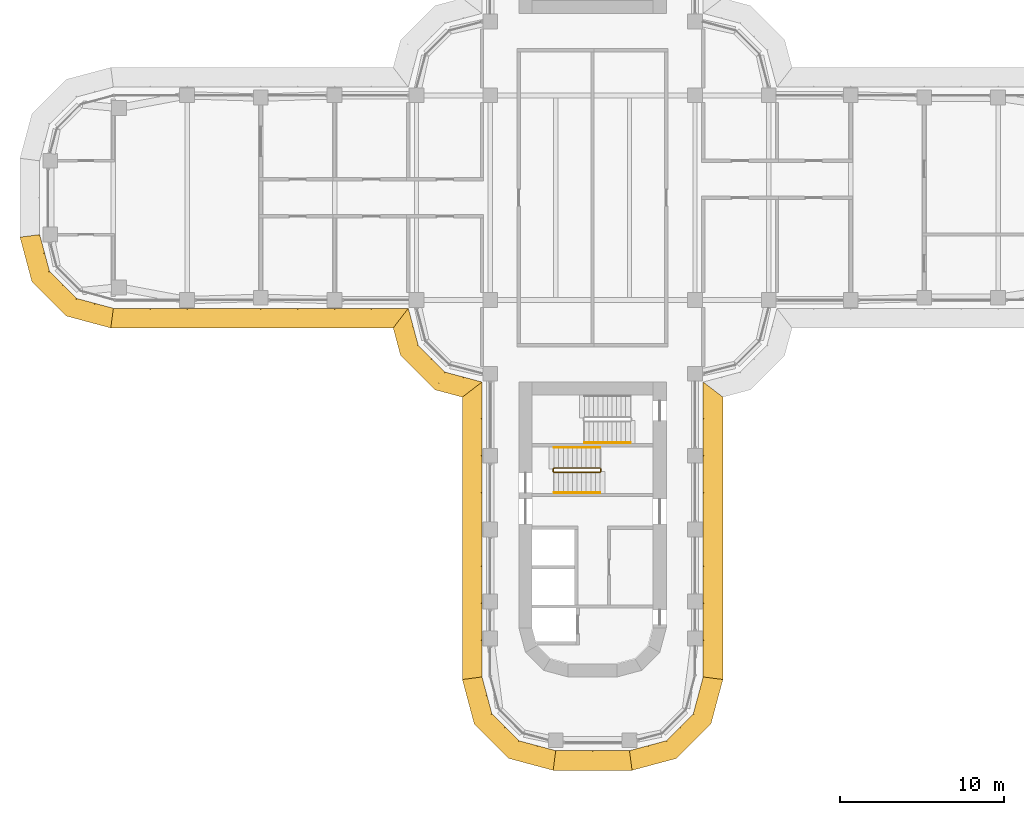
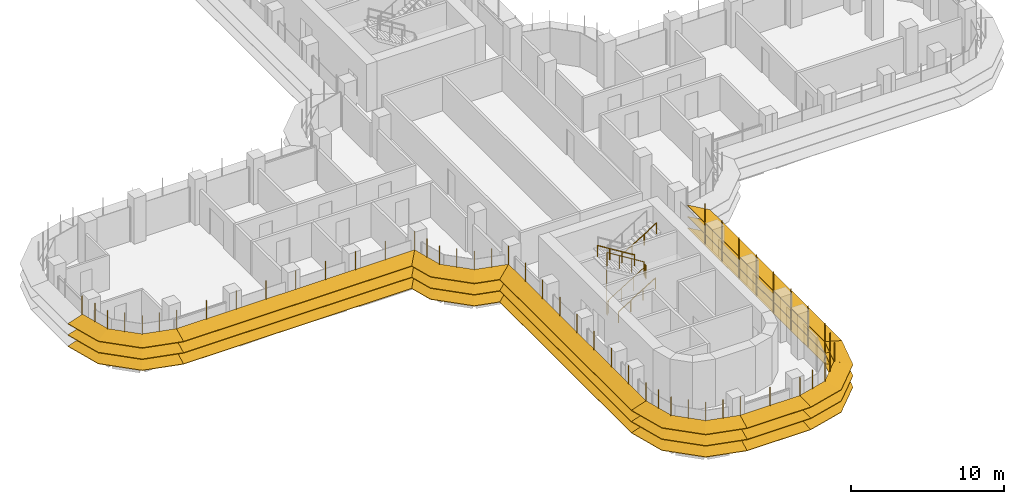
# One storey, part 20 of 23: 8 shading devices, 4 railings.
"""IFC4 building model written with IfcOpenShell, lengths in metres."""

from ifc_helpers import new_model, si_unit, direction, frame, origin, origin_2d, place, context, subcontext, project, spatial, polyline, circle, outline, extrude, faceted_brep, source, transform, mapped, material, type_object, element, save


model = new_model("IFC4")

# Units and contexts
model_context = context("Model", 3, precision=1e-05, world=origin(), true_north=direction((0.0, 1.0)))
body_context = subcontext(model_context, "Body", "Model", "MODEL_VIEW")
ifc_project = project(units=[si_unit("LENGTHUNIT", "METRE"), si_unit("AREAUNIT", "SQUARE_METRE"), si_unit("VOLUMEUNIT", "CUBIC_METRE"), si_unit("PLANEANGLEUNIT", "RADIAN"), si_unit("MASSUNIT", "GRAM", prefix="KILO")], contexts=[model_context])

# Site, building, storey
site_placement = place(None, origin())
site = spatial("IfcSite", under=ifc_project, at=site_placement, CompositionType="ELEMENT")
building_placement = place(site_placement, origin())
building = spatial("IfcBuilding", under=site, at=building_placement, Name="Zarbagh Exchange Tower", CompositionType="ELEMENT")
storey_placement = place(building_placement, frame((0.0, 0.0, 86.60009765625)))
storey = spatial("IfcBuildingStorey", under=building, at=storey_placement, Name="L19", CompositionType="ELEMENT", Elevation=86.60009765625)

# Railings
ifc_material_1 = material(Name="Stainless steel", Category="steel")
railing_type_1 = type_object("IfcRailingType", Name="Stair guard 1100 mm", PredefinedType="GUARDRAIL", material=ifc_material_1)
railing_1_placement = place(storey_placement, frame((0.449951171875, -16.5, 2.072509765625)))
element("IfcRailing", 1, at=railing_1_placement, inside=storey, type_object=railing_type_1, Name="ST3 stair guard 1", PredefinedType="GUARDRAIL", context=body_context, shape_type="SweptSolid", body=[
    extrude(circle(Radius=0.02392578125, at=origin_2d()), frame((0.0, 0.0, 1.076171875), z_axis=(-0.851089632645, 0.0, 0.525020415988), x_axis=(0.0, -1.0, 0.0)), (0.0, 0.0, 1.0), 3.2900390625),
    extrude(circle(Radius=0.02392578125, at=origin_2d()), frame((-2.800048828125, 0.0, 2.80322265625), z_axis=(-0.013104908129, -0.013169147875, -0.999827402569), x_axis=(0.708833529934, -0.705375805398, 0.0)), (0.0, 0.0, 1.0), 3.800537109375),
    extrude(circle(Radius=0.02392578125, at=origin_2d()), frame((-2.849853515625, -0.050048828125, -0.99658203125), z_axis=(0.0, -1.0, 0.0), x_axis=(1.0, 0.0, 0.0)), (0.0, 0.0, 1.0), 0.14990234375),
    extrude(circle(Radius=0.02392578125, at=origin_2d()), frame((-2.849853515625, -0.199951171875, -0.99658203125), z_axis=(0.267062837333, -0.268371968888, 0.925556009775), x_axis=(0.708833529934, 0.705375805398, 0.0)), (0.0, 0.0, 1.0), 0.1865234375),
    extrude(circle(Radius=0.02392578125, at=origin_2d()), frame((-2.800048828125, -0.25, -0.82373046875), z_axis=(0.851089632645, 0.0, 0.525020415988), x_axis=(0.0, 1.0, 0.0)), (0.0, 0.0, 1.0), 3.2900390625),
    extrude(circle(Radius=0.02392578125, at=origin_2d()), frame((0.0, -0.25, 0.9033203125), z_axis=(0.707106781187, 0.707106781187, 0.0), x_axis=(-0.707106781187, 0.707106781187, 0.0)), (0.0, 0.0, 1.0), 0.07080078125),
    extrude(circle(Radius=0.02392578125, at=origin_2d()), frame((0.050048828125, -0.199951171875, 0.9033203125), z_axis=(0.0, 1.0, 0.0), x_axis=(-1.0, 0.0, 0.0)), (0.0, 0.0, 1.0), 0.14990234375),
    extrude(circle(Radius=0.02099609375, at=origin_2d()), origin(), (0.0, 0.0, 1.0), 1.052001953125),
    extrude(circle(Radius=0.02099609375, at=origin_2d()), frame((-0.933349609375, 0.0, 0.57568359375)), (0.0, 0.0, 1.0), 1.052001953125),
    extrude(circle(Radius=0.02099609375, at=origin_2d()), frame((-1.86669921875, 0.0, 1.151611328125)), (0.0, 0.0, 1.0), 1.052001953125),
    extrude(circle(Radius=0.02099609375, at=origin_2d()), frame((-2.800048828125, 0.0, 1.727294921875)), (0.0, 0.0, 1.0), 1.052001953125),
    extrude(circle(Radius=0.02099609375, at=origin_2d()), frame((-2.8125, -0.012451171875, 0.77734375)), (0.0, 0.0, 1.0), 1.052001953125),
    extrude(circle(Radius=0.02099609375, at=origin_2d()), frame((-2.824951171875, -0.02490234375, -0.172607421875)), (0.0, 0.0, 1.0), 1.052001953125),
    extrude(circle(Radius=0.02099609375, at=origin_2d()), frame((-2.83740234375, -0.03759765625, -1.12255859375)), (0.0, 0.0, 1.0), 1.052001953125),
    extrude(circle(Radius=0.02099609375, at=origin_2d()), frame((-2.849853515625, -0.050048828125, -2.072509765625)), (0.0, 0.0, 1.0), 1.052001953125),
    extrude(circle(Radius=0.02099609375, at=origin_2d()), frame((-2.849853515625, -0.199951171875, -2.072509765625)), (0.0, 0.0, 1.0), 1.052001953125),
    extrude(circle(Radius=0.02099609375, at=origin_2d()), frame((-2.800048828125, -0.25, -1.89990234375)), (0.0, 0.0, 1.0), 1.052001953125),
    extrude(circle(Radius=0.02099609375, at=origin_2d()), frame((-1.86669921875, -0.25, -1.32421875)), (0.0, 0.0, 1.0), 1.052001953125),
    extrude(circle(Radius=0.02099609375, at=origin_2d()), frame((-0.933349609375, -0.25, -0.748291015625)), (0.0, 0.0, 1.0), 1.052001953125),
    extrude(circle(Radius=0.02099609375, at=origin_2d()), frame((0.0, -0.25, -0.172607421875)), (0.0, 0.0, 1.0), 1.052001953125),
    extrude(circle(Radius=0.02099609375, at=origin_2d()), frame((0.050048828125, -0.199951171875, -0.172607421875)), (0.0, 0.0, 1.0), 1.052001953125),
    extrude(circle(Radius=0.02099609375, at=origin_2d()), frame((0.050048828125, -0.050048828125, -0.172607421875)), (0.0, 0.0, 1.0), 1.052001953125),
])
railing_type_2 = type_object("IfcRailingType", Name="Stair handrail 900 mm", PredefinedType="HANDRAIL", material=ifc_material_1)
railing_2_placement = place(storey_placement, frame((-2.35009765625, -18.0, 0.172607421875)))
element("IfcRailing", 2, at=railing_2_placement, inside=storey, type_object=railing_type_2, Name="ST3 stair handrail 1", PredefinedType="HANDRAIL", context=body_context, shape_type="SweptSolid", body=[
    extrude(circle(Radius=0.02392578125, at=origin_2d()), frame((0.0, 0.0, 0.8759765625), z_axis=(0.851089632645, 0.0, 0.525020415988), x_axis=(0.0, 1.0, 0.0)), (0.0, 0.0, 1.0), 3.2900390625),
    extrude(circle(Radius=0.02099609375, at=origin_2d()), origin(), (0.0, 0.0, 1.0), 0.851806640625),
    extrude(circle(Radius=0.02099609375, at=origin_2d()), frame((0.933349609375, 0.0, 0.57568359375)), (0.0, 0.0, 1.0), 0.851806640625),
    extrude(circle(Radius=0.02099609375, at=origin_2d()), frame((1.86669921875, 0.0, 1.151611328125)), (0.0, 0.0, 1.0), 0.851806640625),
    extrude(circle(Radius=0.02099609375, at=origin_2d()), frame((2.800048828125, 0.0, 1.727294921875)), (0.0, 0.0, 1.0), 0.851806640625),
])
railing_3_placement = place(storey_placement, frame((0.449951171875, -15.25, 2.072509765625)))
element("IfcRailing", 3, at=railing_3_placement, inside=storey, type_object=railing_type_2, Name="ST3 stair handrail 2", PredefinedType="HANDRAIL", context=body_context, shape_type="SweptSolid", body=[
    extrude(circle(Radius=0.02392578125, at=origin_2d()), frame((0.0, 0.0, 0.8759765625), z_axis=(-0.851089632645, 0.0, 0.525020415988), x_axis=(0.0, -1.0, 0.0)), (0.0, 0.0, 1.0), 3.2900390625),
    extrude(circle(Radius=0.02099609375, at=origin_2d()), origin(), (0.0, 0.0, 1.0), 0.851806640625),
    extrude(circle(Radius=0.02099609375, at=origin_2d()), frame((-0.933349609375, 0.0, 0.57568359375)), (0.0, 0.0, 1.0), 0.851806640625),
    extrude(circle(Radius=0.02099609375, at=origin_2d()), frame((-1.86669921875, 0.0, 1.151611328125)), (0.0, 0.0, 1.0), 0.851806640625),
    extrude(circle(Radius=0.02099609375, at=origin_2d()), frame((-2.800048828125, 0.0, 1.727294921875)), (0.0, 0.0, 1.0), 0.851806640625),
])
railing_4_placement = place(storey_placement, frame((-0.5, -14.949951171875, 2.072509765625)))
element("IfcRailing", 4, at=railing_4_placement, inside=storey, type_object=railing_type_2, Name="ST4 stair handrail 2", PredefinedType="HANDRAIL", context=body_context, shape_type="SweptSolid", body=[
    extrude(circle(Radius=0.02392578125, at=origin_2d()), frame((0.0, 0.0, 0.8759765625), z_axis=(0.851089632645, 0.0, 0.525020415988), x_axis=(0.0, 1.0, 0.0)), (0.0, 0.0, 1.0), 3.2900390625),
    extrude(circle(Radius=0.02099609375, at=origin_2d()), origin(), (0.0, 0.0, 1.0), 0.851806640625),
    extrude(circle(Radius=0.02099609375, at=origin_2d()), frame((0.933349609375, 0.0, 0.57568359375)), (0.0, 0.0, 1.0), 0.851806640625),
    extrude(circle(Radius=0.02099609375, at=origin_2d()), frame((1.86669921875, 0.0, 1.151611328125)), (0.0, 0.0, 1.0), 0.851806640625),
    extrude(circle(Radius=0.02099609375, at=origin_2d()), frame((2.800048828125, 0.0, 1.727294921875)), (0.0, 0.0, 1.0), 0.851806640625),
])

# Shading devices
ifc_material_2 = material(Name="Anodised aluminium blades and brackets", Category="aluminium")
shading_device_type = type_object("IfcShadingDeviceType", Name="SUNSHADE louvre band, 11.25 degree blades", PredefinedType="JALOUSIE", material=ifc_material_2)
shared_shape_1 = source(origin(), body_context, "Body", "Brep", [
    faceted_brep([(0.0, 0.0, 0.0), (0.0, 0.0, -0.040771484375), (-0.157958984375, -1.199951171875, -0.279541015625), (-0.157958984375, -1.199951171875, -0.23876953125), (2.65087890625, -1.199951171875, -0.23876953125), (2.65087890625, -1.199951171875, -0.279541015625), (2.329345703125, 0.0, -0.040771484375), (2.329345703125, 0.0, 0.0)], [[[0, 1, 2, 3]], [[4, 5, 6, 7]], [[0, 7, 6, 1]], [[1, 6, 5, 2]], [[2, 5, 4, 3]], [[3, 4, 7, 0]]]),
])
shared_shape_2 = source(origin(), body_context, "Body", "Brep", [
    faceted_brep([(0.0, 0.0, 0.0), (0.0, 0.0, -0.040771484375), (-0.321533203125, -1.199951171875, -0.279541015625), (-0.321533203125, -1.199951171875, -0.23876953125), (2.65087890625, -1.199951171875, -0.23876953125), (2.65087890625, -1.199951171875, -0.279541015625), (2.329345703125, 0.0, -0.040771484375), (2.329345703125, 0.0, 0.0)], [[[0, 1, 2, 3]], [[4, 5, 6, 7]], [[0, 7, 6, 1]], [[1, 6, 5, 2]], [[2, 5, 4, 3]], [[3, 4, 7, 0]]]),
])
shared_shape_3 = source(origin(), body_context, "Body", "Brep", [
    faceted_brep([(0.0, 0.0, 0.0), (0.0, 0.0, -0.040771484375), (-0.321533203125, -1.199951171875, -0.279541015625), (-0.321533203125, -1.199951171875, -0.23876953125), (2.4873046875, -1.199951171875, -0.23876953125), (2.4873046875, -1.199951171875, -0.279541015625), (2.329345703125, 0.0, -0.040771484375), (2.329345703125, 0.0, 0.0)], [[[0, 1, 2, 3]], [[4, 5, 6, 7]], [[0, 7, 6, 1]], [[1, 6, 5, 2]], [[2, 5, 4, 3]], [[3, 4, 7, 0]]]),
])
shared_shape_4 = source(origin(), body_context, "Body", "SweptSolid", [
    extrude(outline(polyline([(0.0, -0.012451171875), (0.06005859375, -0.012451171875), (0.06005859375, 0.012451171875), (0.0, 0.012451171875), (0.0, -0.012451171875)])), origin(), (0.0, 0.0, 1.0), 3.350830078125),
])
placement = place(storey_placement, origin())
element("IfcShadingDevice", 5, at=placement, inside=storey, type_object=shading_device_type, Name="SS01 sunshade band", PredefinedType="JALOUSIE", context=body_context, shape_type="MappedRepresentation", body=[
    mapped(shared_shape_1, transform((2.25, -33.75, 2.2998046875), x_axis=(0.965924289636, 0.258824779902, 0.0), y_axis=(-0.258824779902, 0.965924289636, 0.0), z_axis=(0.0, 0.0, 1.0))),
    mapped(shared_shape_1, transform((2.25, -33.75, 1.39990234375), x_axis=(0.965924289636, 0.258824779902, 0.0), y_axis=(-0.258824779902, 0.965924289636, 0.0), z_axis=(0.0, 0.0, 1.0))),
    mapped(shared_shape_1, transform((2.25, -33.75, 0.5), x_axis=(0.965924289636, 0.258824779902, 0.0), y_axis=(-0.258824779902, 0.965924289636, 0.0), z_axis=(0.0, 0.0, 1.0))),
    mapped(shared_shape_2, transform((4.5, -33.147216796875, 2.2998046875), x_axis=(0.707106781187, 0.707106781187, 0.0), y_axis=(-0.707106781187, 0.707106781187, 0.0), z_axis=(0.0, 0.0, 1.0))),
    mapped(shared_shape_2, transform((4.5, -33.147216796875, 1.39990234375), x_axis=(0.707106781187, 0.707106781187, 0.0), y_axis=(-0.707106781187, 0.707106781187, 0.0), z_axis=(0.0, 0.0, 1.0))),
    mapped(shared_shape_2, transform((4.5, -33.147216796875, 0.5), x_axis=(0.707106781187, 0.707106781187, 0.0), y_axis=(-0.707106781187, 0.707106781187, 0.0), z_axis=(0.0, 0.0, 1.0))),
    mapped(shared_shape_3, transform((6.147216796875, -31.5, 2.2998046875), x_axis=(0.258824779902, 0.965924289636, 0.0), y_axis=(-0.965924289636, 0.258824779902, 0.0), z_axis=(0.0, 0.0, 1.0))),
    mapped(shared_shape_3, transform((6.147216796875, -31.5, 1.39990234375), x_axis=(0.258824779902, 0.965924289636, 0.0), y_axis=(-0.965924289636, 0.258824779902, 0.0), z_axis=(0.0, 0.0, 1.0))),
    mapped(shared_shape_3, transform((6.147216796875, -31.5, 0.5), x_axis=(0.258824779902, 0.965924289636, 0.0), y_axis=(-0.965924289636, 0.258824779902, 0.0), z_axis=(0.0, 0.0, 1.0))),
    mapped(shared_shape_4, transform((2.25, -33.75, 0.42919921875), x_axis=(0.130529263012, -0.991444457092, 0.0), y_axis=(0.991444457092, 0.130529263012, 0.0), z_axis=(0.0, 0.0, 1.0))),
    mapped(shared_shape_4, transform((3.375, -33.448486328125, 0.42919921875), x_axis=(0.258825058029, -0.96592421511, 0.0), y_axis=(0.96592421511, 0.258825058029, 0.0), z_axis=(0.0, 0.0, 1.0))),
    mapped(shared_shape_4, transform((4.5, -33.147216796875, 0.42919921875), x_axis=(0.50000275701, -0.866023812018, 0.0), y_axis=(0.866023812018, 0.50000275701, 0.0), z_axis=(0.0, 0.0, 1.0))),
    mapped(shared_shape_4, transform((5.323486328125, -32.323486328125, 0.42919921875), x_axis=(0.707106781187, -0.707106781187, 0.0), y_axis=(0.707106781187, 0.707106781187, 0.0), z_axis=(0.0, 0.0, 1.0))),
    mapped(shared_shape_4, transform((6.147216796875, -31.5, 0.42919921875), x_axis=(0.866023812018, -0.50000275701, 0.0), y_axis=(0.50000275701, 0.866023812018, 0.0), z_axis=(0.0, 0.0, 1.0))),
    mapped(shared_shape_4, transform((6.448486328125, -30.375, 0.42919921875), x_axis=(0.96592421511, -0.258825058029, 0.0), y_axis=(0.258825058029, 0.96592421511, 0.0), z_axis=(0.0, 0.0, 1.0))),
])
element("IfcShadingDevice", 6, at=placement, inside=storey, type_object=shading_device_type, Name="SS19 sunshade band", PredefinedType="JALOUSIE", context=body_context, shape_type="MappedRepresentation", body=[
    mapped(shared_shape_1, transform((-33.75, -2.25, 2.2998046875), x_axis=(0.258824779902, -0.965924289636, 0.0), y_axis=(0.965924289636, 0.258824779902, 0.0), z_axis=(0.0, 0.0, 1.0))),
    mapped(shared_shape_1, transform((-33.75, -2.25, 1.39990234375), x_axis=(0.258824779902, -0.965924289636, 0.0), y_axis=(0.965924289636, 0.258824779902, 0.0), z_axis=(0.0, 0.0, 1.0))),
    mapped(shared_shape_1, transform((-33.75, -2.25, 0.5), x_axis=(0.258824779902, -0.965924289636, 0.0), y_axis=(0.965924289636, 0.258824779902, 0.0), z_axis=(0.0, 0.0, 1.0))),
    mapped(shared_shape_2, transform((-33.147216796875, -4.5, 2.2998046875), x_axis=(0.707106781187, -0.707106781187, 0.0), y_axis=(0.707106781187, 0.707106781187, 0.0), z_axis=(0.0, 0.0, 1.0))),
    mapped(shared_shape_2, transform((-33.147216796875, -4.5, 1.39990234375), x_axis=(0.707106781187, -0.707106781187, 0.0), y_axis=(0.707106781187, 0.707106781187, 0.0), z_axis=(0.0, 0.0, 1.0))),
    mapped(shared_shape_2, transform((-33.147216796875, -4.5, 0.5), x_axis=(0.707106781187, -0.707106781187, 0.0), y_axis=(0.707106781187, 0.707106781187, 0.0), z_axis=(0.0, 0.0, 1.0))),
    mapped(shared_shape_3, transform((-31.5, -6.147216796875, 2.2998046875), x_axis=(0.965924289636, -0.258824779902, 0.0), y_axis=(0.258824779902, 0.965924289636, 0.0), z_axis=(0.0, 0.0, 1.0))),
    mapped(shared_shape_3, transform((-31.5, -6.147216796875, 1.39990234375), x_axis=(0.965924289636, -0.258824779902, 0.0), y_axis=(0.258824779902, 0.965924289636, 0.0), z_axis=(0.0, 0.0, 1.0))),
    mapped(shared_shape_3, transform((-31.5, -6.147216796875, 0.5), x_axis=(0.965924289636, -0.258824779902, 0.0), y_axis=(0.258824779902, 0.965924289636, 0.0), z_axis=(0.0, 0.0, 1.0))),
    mapped(shared_shape_4, transform((-33.75, -2.25, 0.42919921875), x_axis=(-0.991444457092, -0.130529263012, 0.0), y_axis=(0.130529263012, -0.991444457092, 0.0), z_axis=(0.0, 0.0, 1.0))),
    mapped(shared_shape_4, transform((-33.448486328125, -3.375, 0.42919921875), x_axis=(-0.96592421511, -0.258825058029, 0.0), y_axis=(0.258825058029, -0.96592421511, 0.0), z_axis=(0.0, 0.0, 1.0))),
    mapped(shared_shape_4, transform((-33.147216796875, -4.5, 0.42919921875), x_axis=(-0.866023812018, -0.50000275701, 0.0), y_axis=(0.50000275701, -0.866023812018, 0.0), z_axis=(0.0, 0.0, 1.0))),
    mapped(shared_shape_4, transform((-32.323486328125, -5.323486328125, 0.42919921875), x_axis=(-0.707106781187, -0.707106781187, 0.0), y_axis=(0.707106781187, -0.707106781187, 0.0), z_axis=(0.0, 0.0, 1.0))),
    mapped(shared_shape_4, transform((-31.5, -6.147216796875, 0.42919921875), x_axis=(-0.50000275701, -0.866023812018, 0.0), y_axis=(0.866023812018, -0.50000275701, 0.0), z_axis=(0.0, 0.0, 1.0))),
    mapped(shared_shape_4, transform((-30.375, -6.448486328125, 0.42919921875), x_axis=(-0.258825058029, -0.96592421511, 0.0), y_axis=(0.96592421511, -0.258825058029, 0.0), z_axis=(0.0, 0.0, 1.0))),
])
element("IfcShadingDevice", 7, at=placement, inside=storey, type_object=shading_device_type, Name="SS23 sunshade band", PredefinedType="JALOUSIE", context=body_context, shape_type="MappedRepresentation", body=[
    mapped(shared_shape_1, transform((-6.75, -29.25, 2.2998046875), x_axis=(0.258824779902, -0.965924289636, 0.0), y_axis=(0.965924289636, 0.258824779902, 0.0), z_axis=(0.0, 0.0, 1.0))),
    mapped(shared_shape_1, transform((-6.75, -29.25, 1.39990234375), x_axis=(0.258824779902, -0.965924289636, 0.0), y_axis=(0.965924289636, 0.258824779902, 0.0), z_axis=(0.0, 0.0, 1.0))),
    mapped(shared_shape_1, transform((-6.75, -29.25, 0.5), x_axis=(0.258824779902, -0.965924289636, 0.0), y_axis=(0.965924289636, 0.258824779902, 0.0), z_axis=(0.0, 0.0, 1.0))),
    mapped(shared_shape_2, transform((-6.147216796875, -31.5, 2.2998046875), x_axis=(0.707106781187, -0.707106781187, 0.0), y_axis=(0.707106781187, 0.707106781187, 0.0), z_axis=(0.0, 0.0, 1.0))),
    mapped(shared_shape_2, transform((-6.147216796875, -31.5, 1.39990234375), x_axis=(0.707106781187, -0.707106781187, 0.0), y_axis=(0.707106781187, 0.707106781187, 0.0), z_axis=(0.0, 0.0, 1.0))),
    mapped(shared_shape_2, transform((-6.147216796875, -31.5, 0.5), x_axis=(0.707106781187, -0.707106781187, 0.0), y_axis=(0.707106781187, 0.707106781187, 0.0), z_axis=(0.0, 0.0, 1.0))),
    mapped(shared_shape_3, transform((-4.5, -33.147216796875, 2.2998046875), x_axis=(0.965924289636, -0.258824779902, 0.0), y_axis=(0.258824779902, 0.965924289636, 0.0), z_axis=(0.0, 0.0, 1.0))),
    mapped(shared_shape_3, transform((-4.5, -33.147216796875, 1.39990234375), x_axis=(0.965924289636, -0.258824779902, 0.0), y_axis=(0.258824779902, 0.965924289636, 0.0), z_axis=(0.0, 0.0, 1.0))),
    mapped(shared_shape_3, transform((-4.5, -33.147216796875, 0.5), x_axis=(0.965924289636, -0.258824779902, 0.0), y_axis=(0.258824779902, 0.965924289636, 0.0), z_axis=(0.0, 0.0, 1.0))),
    mapped(shared_shape_4, transform((-6.75, -29.25, 0.42919921875), x_axis=(-0.991444457092, -0.130529263012, 0.0), y_axis=(0.130529263012, -0.991444457092, 0.0), z_axis=(0.0, 0.0, 1.0))),
    mapped(shared_shape_4, transform((-6.448486328125, -30.375, 0.42919921875), x_axis=(-0.96592421511, -0.258825058029, 0.0), y_axis=(0.258825058029, -0.96592421511, 0.0), z_axis=(0.0, 0.0, 1.0))),
    mapped(shared_shape_4, transform((-6.147216796875, -31.5, 0.42919921875), x_axis=(-0.866023812018, -0.50000275701, 0.0), y_axis=(0.50000275701, -0.866023812018, 0.0), z_axis=(0.0, 0.0, 1.0))),
    mapped(shared_shape_4, transform((-5.323486328125, -32.323486328125, 0.42919921875), x_axis=(-0.707106781187, -0.707106781187, 0.0), y_axis=(0.707106781187, -0.707106781187, 0.0), z_axis=(0.0, 0.0, 1.0))),
    mapped(shared_shape_4, transform((-4.5, -33.147216796875, 0.42919921875), x_axis=(-0.50000275701, -0.866023812018, 0.0), y_axis=(0.866023812018, -0.50000275701, 0.0), z_axis=(0.0, 0.0, 1.0))),
    mapped(shared_shape_4, transform((-3.375, -33.448486328125, 0.42919921875), x_axis=(-0.258825058029, -0.96592421511, 0.0), y_axis=(0.96592421511, -0.258825058029, 0.0), z_axis=(0.0, 0.0, 1.0))),
])
shared_shape_5 = source(origin(), body_context, "Body", "Brep", [
    faceted_brep([(0.0, 0.0, 0.0), (0.0, 0.0, -0.040771484375), (0.9208984375, -1.199951171875, -0.279541015625), (0.9208984375, -1.199951171875, -0.23876953125), (2.65087890625, -1.199951171875, -0.23876953125), (2.65087890625, -1.199951171875, -0.279541015625), (2.329345703125, 0.0, -0.040771484375), (2.329345703125, 0.0, 0.0)], [[[0, 1, 2, 3]], [[4, 5, 6, 7]], [[0, 7, 6, 1]], [[1, 6, 5, 2]], [[2, 5, 4, 3]], [[3, 4, 7, 0]]]),
])
shared_shape_6 = source(origin(), body_context, "Body", "Brep", [
    faceted_brep([(0.0, 0.0, 0.0), (0.0, 0.0, -0.040771484375), (-0.321533203125, -1.199951171875, -0.279541015625), (-0.321533203125, -1.199951171875, -0.23876953125), (1.40869140625, -1.199951171875, -0.23876953125), (1.40869140625, -1.199951171875, -0.279541015625), (2.329345703125, 0.0, -0.040771484375), (2.329345703125, 0.0, 0.0)], [[[0, 1, 2, 3]], [[4, 5, 6, 7]], [[0, 7, 6, 1]], [[1, 6, 5, 2]], [[2, 5, 4, 3]], [[3, 4, 7, 0]]]),
])
element("IfcShadingDevice", 8, at=placement, inside=storey, type_object=shading_device_type, Name="SS21 sunshade band", PredefinedType="JALOUSIE", context=body_context, shape_type="MappedRepresentation", body=[
    mapped(shared_shape_5, transform((-11.25, -6.75, 2.2998046875), x_axis=(0.258824779902, -0.965924289636, 0.0), y_axis=(0.965924289636, 0.258824779902, 0.0), z_axis=(0.0, 0.0, 1.0))),
    mapped(shared_shape_5, transform((-11.25, -6.75, 1.39990234375), x_axis=(0.258824779902, -0.965924289636, 0.0), y_axis=(0.965924289636, 0.258824779902, 0.0), z_axis=(0.0, 0.0, 1.0))),
    mapped(shared_shape_5, transform((-11.25, -6.75, 0.5), x_axis=(0.258824779902, -0.965924289636, 0.0), y_axis=(0.965924289636, 0.258824779902, 0.0), z_axis=(0.0, 0.0, 1.0))),
    mapped(shared_shape_2, transform((-10.647216796875, -9.0, 2.2998046875), x_axis=(0.707106781187, -0.707106781187, 0.0), y_axis=(0.707106781187, 0.707106781187, 0.0), z_axis=(0.0, 0.0, 1.0))),
    mapped(shared_shape_2, transform((-10.647216796875, -9.0, 1.39990234375), x_axis=(0.707106781187, -0.707106781187, 0.0), y_axis=(0.707106781187, 0.707106781187, 0.0), z_axis=(0.0, 0.0, 1.0))),
    mapped(shared_shape_2, transform((-10.647216796875, -9.0, 0.5), x_axis=(0.707106781187, -0.707106781187, 0.0), y_axis=(0.707106781187, 0.707106781187, 0.0), z_axis=(0.0, 0.0, 1.0))),
    mapped(shared_shape_6, transform((-9.0, -10.647216796875, 2.2998046875), x_axis=(0.965924289636, -0.258824779902, 0.0), y_axis=(0.258824779902, 0.965924289636, 0.0), z_axis=(0.0, 0.0, 1.0))),
    mapped(shared_shape_6, transform((-9.0, -10.647216796875, 1.39990234375), x_axis=(0.965924289636, -0.258824779902, 0.0), y_axis=(0.258824779902, 0.965924289636, 0.0), z_axis=(0.0, 0.0, 1.0))),
    mapped(shared_shape_6, transform((-9.0, -10.647216796875, 0.5), x_axis=(0.965924289636, -0.258824779902, 0.0), y_axis=(0.258824779902, 0.965924289636, 0.0), z_axis=(0.0, 0.0, 1.0))),
    mapped(shared_shape_4, transform((-11.25, -6.75, 0.42919921875), x_axis=(-0.608758892, -0.793355287, 0.0), y_axis=(0.793355287, -0.608758892, 0.0), z_axis=(0.0, 0.0, 1.0))),
    mapped(shared_shape_4, transform((-10.948486328125, -7.875, 0.42919921875), x_axis=(-0.96592421511, -0.258825058029, 0.0), y_axis=(0.258825058029, -0.96592421511, 0.0), z_axis=(0.0, 0.0, 1.0))),
    mapped(shared_shape_4, transform((-10.647216796875, -9.0, 0.42919921875), x_axis=(-0.866023812018, -0.50000275701, 0.0), y_axis=(0.50000275701, -0.866023812018, 0.0), z_axis=(0.0, 0.0, 1.0))),
    mapped(shared_shape_4, transform((-9.823486328125, -9.823486328125, 0.42919921875), x_axis=(-0.707106781187, -0.707106781187, 0.0), y_axis=(0.707106781187, -0.707106781187, 0.0), z_axis=(0.0, 0.0, 1.0))),
    mapped(shared_shape_4, transform((-9.0, -10.647216796875, 0.42919921875), x_axis=(-0.50000275701, -0.866023812018, 0.0), y_axis=(0.866023812018, -0.50000275701, 0.0), z_axis=(0.0, 0.0, 1.0))),
    mapped(shared_shape_4, transform((-7.875, -10.948486328125, 0.42919921875), x_axis=(-0.258825058029, -0.96592421511, 0.0), y_axis=(0.96592421511, -0.258825058029, 0.0), z_axis=(0.0, 0.0, 1.0))),
])
shared_shape_7 = source(origin(), body_context, "Body", "Brep", [
    faceted_brep([(0.0, 0.0, 0.0), (0.0, 0.0, -0.040771484375), (-0.157958984375, -1.199951171875, -0.279541015625), (-0.157958984375, -1.199951171875, -0.23876953125), (17.0791015625, -1.199951171875, -0.23876953125), (17.0791015625, -1.199951171875, -0.279541015625), (18.0, 0.0, -0.040771484375), (18.0, 0.0, 0.0)], [[[0, 1, 2, 3]], [[4, 5, 6, 7]], [[0, 7, 6, 1]], [[1, 6, 5, 2]], [[2, 5, 4, 3]], [[3, 4, 7, 0]]]),
])
element("IfcShadingDevice", 9, at=placement, inside=storey, type_object=shading_device_type, Name="SS02 sunshade band", PredefinedType="JALOUSIE", context=body_context, shape_type="MappedRepresentation", body=[
    mapped(shared_shape_7, transform((6.75, -29.25, 2.2998046875), x_axis=(0.0, 1.0, 0.0), y_axis=(-1.0, 0.0, 0.0), z_axis=(0.0, 0.0, 1.0))),
    mapped(shared_shape_7, transform((6.75, -29.25, 1.39990234375), x_axis=(0.0, 1.0, 0.0), y_axis=(-1.0, 0.0, 0.0), z_axis=(0.0, 0.0, 1.0))),
    mapped(shared_shape_7, transform((6.75, -29.25, 0.5), x_axis=(0.0, 1.0, 0.0), y_axis=(-1.0, 0.0, 0.0), z_axis=(0.0, 0.0, 1.0))),
    mapped(shared_shape_4, transform((6.75, -29.25, 0.42919921875), x_axis=(0.991444457092, -0.130529263012, 0.0), y_axis=(0.130529263012, 0.991444457092, 0.0), z_axis=(0.0, 0.0, 1.0))),
    mapped(shared_shape_4, transform((6.75, -27.0, 0.42919921875), x_axis=(1.0, 0.0, 0.0), y_axis=(0.0, 1.0, 0.0), z_axis=(0.0, 0.0, 1.0))),
    mapped(shared_shape_4, transform((6.75, -24.75, 0.42919921875), x_axis=(1.0, 0.0, 0.0), y_axis=(0.0, 1.0, 0.0), z_axis=(0.0, 0.0, 1.0))),
    mapped(shared_shape_4, transform((6.75, -22.5, 0.42919921875), x_axis=(1.0, 0.0, 0.0), y_axis=(0.0, 1.0, 0.0), z_axis=(0.0, 0.0, 1.0))),
    mapped(shared_shape_4, transform((6.75, -20.25, 0.42919921875), x_axis=(1.0, 0.0, 0.0), y_axis=(0.0, 1.0, 0.0), z_axis=(0.0, 0.0, 1.0))),
    mapped(shared_shape_4, transform((6.75, -18.0, 0.42919921875), x_axis=(1.0, 0.0, 0.0), y_axis=(0.0, 1.0, 0.0), z_axis=(0.0, 0.0, 1.0))),
    mapped(shared_shape_4, transform((6.75, -15.75, 0.42919921875), x_axis=(1.0, 0.0, 0.0), y_axis=(0.0, 1.0, 0.0), z_axis=(0.0, 0.0, 1.0))),
    mapped(shared_shape_4, transform((6.75, -13.5, 0.42919921875), x_axis=(1.0, 0.0, 0.0), y_axis=(0.0, 1.0, 0.0), z_axis=(0.0, 0.0, 1.0))),
])
element("IfcShadingDevice", 10, at=placement, inside=storey, type_object=shading_device_type, Name="SS20 sunshade band", PredefinedType="JALOUSIE", context=body_context, shape_type="MappedRepresentation", body=[
    mapped(shared_shape_7, transform((-29.25, -6.75, 2.2998046875), x_axis=(1.0, 0.0, 0.0), y_axis=(0.0, 1.0, 0.0), z_axis=(0.0, 0.0, 1.0))),
    mapped(shared_shape_7, transform((-29.25, -6.75, 1.39990234375), x_axis=(1.0, 0.0, 0.0), y_axis=(0.0, 1.0, 0.0), z_axis=(0.0, 0.0, 1.0))),
    mapped(shared_shape_7, transform((-29.25, -6.75, 0.5), x_axis=(1.0, 0.0, 0.0), y_axis=(0.0, 1.0, 0.0), z_axis=(0.0, 0.0, 1.0))),
    mapped(shared_shape_4, transform((-29.25, -6.75, 0.42919921875), x_axis=(-0.130529263012, -0.991444457092, 0.0), y_axis=(0.991444457092, -0.130529263012, 0.0), z_axis=(0.0, 0.0, 1.0))),
    mapped(shared_shape_4, transform((-27.0, -6.75, 0.42919921875), x_axis=(0.0, -1.0, 0.0), y_axis=(1.0, 0.0, 0.0), z_axis=(0.0, 0.0, 1.0))),
    mapped(shared_shape_4, transform((-24.75, -6.75, 0.42919921875), x_axis=(0.0, -1.0, 0.0), y_axis=(1.0, 0.0, 0.0), z_axis=(0.0, 0.0, 1.0))),
    mapped(shared_shape_4, transform((-22.5, -6.75, 0.42919921875), x_axis=(0.0, -1.0, 0.0), y_axis=(1.0, 0.0, 0.0), z_axis=(0.0, 0.0, 1.0))),
    mapped(shared_shape_4, transform((-20.25, -6.75, 0.42919921875), x_axis=(0.0, -1.0, 0.0), y_axis=(1.0, 0.0, 0.0), z_axis=(0.0, 0.0, 1.0))),
    mapped(shared_shape_4, transform((-18.0, -6.75, 0.42919921875), x_axis=(0.0, -1.0, 0.0), y_axis=(1.0, 0.0, 0.0), z_axis=(0.0, 0.0, 1.0))),
    mapped(shared_shape_4, transform((-15.75, -6.75, 0.42919921875), x_axis=(0.0, -1.0, 0.0), y_axis=(1.0, 0.0, 0.0), z_axis=(0.0, 0.0, 1.0))),
    mapped(shared_shape_4, transform((-13.5, -6.75, 0.42919921875), x_axis=(0.0, -1.0, 0.0), y_axis=(1.0, 0.0, 0.0), z_axis=(0.0, 0.0, 1.0))),
])
shared_shape_8 = source(origin(), body_context, "Body", "Brep", [
    faceted_brep([(0.0, 0.0, 0.0), (0.0, 0.0, -0.040771484375), (0.9208984375, -1.199951171875, -0.279541015625), (0.9208984375, -1.199951171875, -0.23876953125), (18.157958984375, -1.199951171875, -0.23876953125), (18.157958984375, -1.199951171875, -0.279541015625), (18.0, 0.0, -0.040771484375), (18.0, 0.0, 0.0)], [[[0, 1, 2, 3]], [[4, 5, 6, 7]], [[0, 7, 6, 1]], [[1, 6, 5, 2]], [[2, 5, 4, 3]], [[3, 4, 7, 0]]]),
])
element("IfcShadingDevice", 11, at=placement, inside=storey, type_object=shading_device_type, Name="SS22 sunshade band", PredefinedType="JALOUSIE", context=body_context, shape_type="MappedRepresentation", body=[
    mapped(shared_shape_8, transform((-6.75, -11.25, 2.2998046875), x_axis=(0.0, -1.0, 0.0), y_axis=(1.0, 0.0, 0.0), z_axis=(0.0, 0.0, 1.0))),
    mapped(shared_shape_8, transform((-6.75, -11.25, 1.39990234375), x_axis=(0.0, -1.0, 0.0), y_axis=(1.0, 0.0, 0.0), z_axis=(0.0, 0.0, 1.0))),
    mapped(shared_shape_8, transform((-6.75, -11.25, 0.5), x_axis=(0.0, -1.0, 0.0), y_axis=(1.0, 0.0, 0.0), z_axis=(0.0, 0.0, 1.0))),
    mapped(shared_shape_4, transform((-6.75, -11.25, 0.42919921875), x_axis=(-0.793355287, -0.608758892, 0.0), y_axis=(0.608758892, -0.793355287, 0.0), z_axis=(0.0, 0.0, 1.0))),
    mapped(shared_shape_4, transform((-6.75, -13.5, 0.42919921875), x_axis=(-1.0, 0.0, 0.0), y_axis=(0.0, -1.0, 0.0), z_axis=(0.0, 0.0, 1.0))),
    mapped(shared_shape_4, transform((-6.75, -15.75, 0.42919921875), x_axis=(-1.0, 0.0, 0.0), y_axis=(0.0, -1.0, 0.0), z_axis=(0.0, 0.0, 1.0))),
    mapped(shared_shape_4, transform((-6.75, -18.0, 0.42919921875), x_axis=(-1.0, 0.0, 0.0), y_axis=(0.0, -1.0, 0.0), z_axis=(0.0, 0.0, 1.0))),
    mapped(shared_shape_4, transform((-6.75, -20.25, 0.42919921875), x_axis=(-1.0, 0.0, 0.0), y_axis=(0.0, -1.0, 0.0), z_axis=(0.0, 0.0, 1.0))),
    mapped(shared_shape_4, transform((-6.75, -22.5, 0.42919921875), x_axis=(-1.0, 0.0, 0.0), y_axis=(0.0, -1.0, 0.0), z_axis=(0.0, 0.0, 1.0))),
    mapped(shared_shape_4, transform((-6.75, -24.75, 0.42919921875), x_axis=(-1.0, 0.0, 0.0), y_axis=(0.0, -1.0, 0.0), z_axis=(0.0, 0.0, 1.0))),
    mapped(shared_shape_4, transform((-6.75, -27.0, 0.42919921875), x_axis=(-1.0, 0.0, 0.0), y_axis=(0.0, -1.0, 0.0), z_axis=(0.0, 0.0, 1.0))),
])
shared_shape_9 = source(origin(), body_context, "Body", "Brep", [
    faceted_brep([(0.0, 0.0, 0.0), (0.0, 0.0, -0.040771484375), (-0.157958984375, -1.199951171875, -0.279541015625), (-0.157958984375, -1.199951171875, -0.23876953125), (4.657958984375, -1.199951171875, -0.23876953125), (4.657958984375, -1.199951171875, -0.279541015625), (4.5, 0.0, -0.040771484375), (4.5, 0.0, 0.0)], [[[0, 1, 2, 3]], [[4, 5, 6, 7]], [[0, 7, 6, 1]], [[1, 6, 5, 2]], [[2, 5, 4, 3]], [[3, 4, 7, 0]]]),
])
element("IfcShadingDevice", 12, at=placement, inside=storey, type_object=shading_device_type, Name="SS24 sunshade band", PredefinedType="JALOUSIE", context=body_context, shape_type="MappedRepresentation", body=[
    mapped(shared_shape_9, transform((-2.25, -33.75, 2.2998046875), x_axis=(1.0, 0.0, 0.0), y_axis=(0.0, 1.0, 0.0), z_axis=(0.0, 0.0, 1.0))),
    mapped(shared_shape_9, transform((-2.25, -33.75, 1.39990234375), x_axis=(1.0, 0.0, 0.0), y_axis=(0.0, 1.0, 0.0), z_axis=(0.0, 0.0, 1.0))),
    mapped(shared_shape_9, transform((-2.25, -33.75, 0.5), x_axis=(1.0, 0.0, 0.0), y_axis=(0.0, 1.0, 0.0), z_axis=(0.0, 0.0, 1.0))),
    mapped(shared_shape_4, transform((-2.25, -33.75, 0.42919921875), x_axis=(-0.130529263012, -0.991444457092, 0.0), y_axis=(0.991444457092, -0.130529263012, 0.0), z_axis=(0.0, 0.0, 1.0))),
    mapped(shared_shape_4, transform((0.0, -33.75, 0.42919921875), x_axis=(0.0, -1.0, 0.0), y_axis=(1.0, 0.0, 0.0), z_axis=(0.0, 0.0, 1.0))),
])

save(model, "model.ifc")
